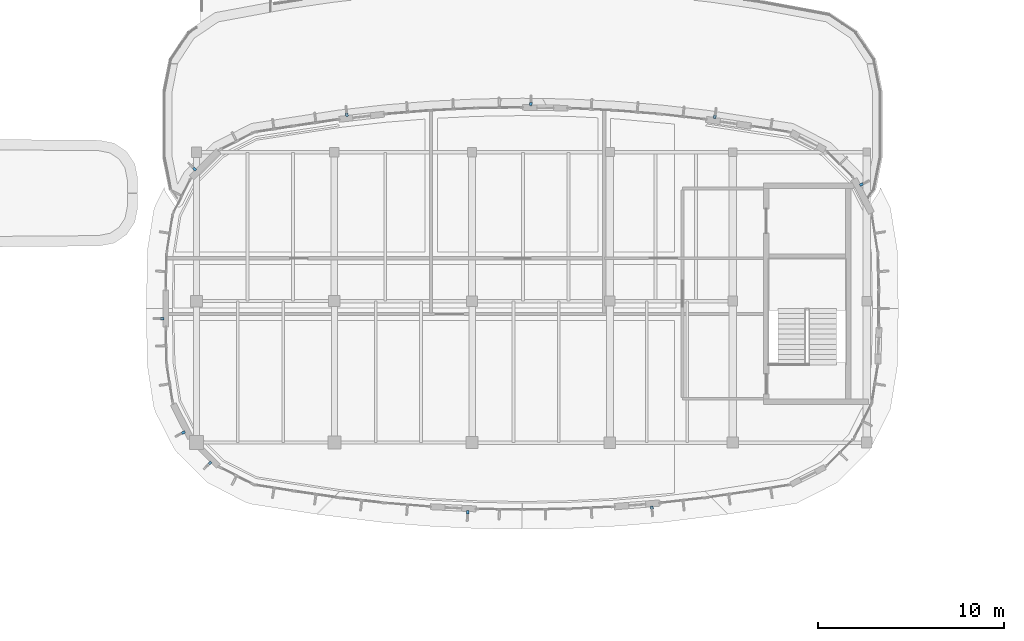
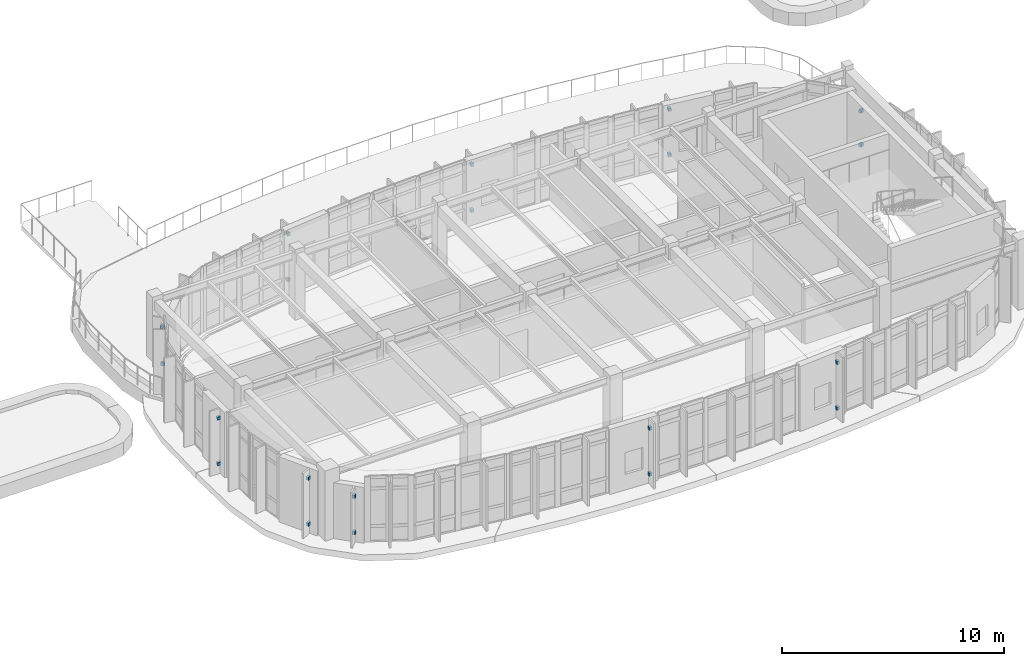
# One storey, part 91 of 111: 20 discrete accessories.
"""IFC4 building model written with IfcOpenShell, lengths in metres."""

from ifc_helpers import new_model, si_unit, direction, frame, origin, origin_2d, place, context, subcontext, project, spatial, rectangle, extrude, material, type_object, element, save


model = new_model("IFC4")

# Units and contexts
model_context = context("Model", 3, precision=1e-05, world=origin(), true_north=direction((0.0, 1.0)))
body_context = subcontext(model_context, "Body", "Model", "MODEL_VIEW")
ifc_project = project(units=[si_unit("LENGTHUNIT", "METRE"), si_unit("AREAUNIT", "SQUARE_METRE"), si_unit("VOLUMEUNIT", "CUBIC_METRE"), si_unit("PLANEANGLEUNIT", "RADIAN"), si_unit("MASSUNIT", "GRAM", prefix="KILO")], contexts=[model_context])

# Site, building, storey
site_placement = place(None, origin())
site = spatial("IfcSite", under=ifc_project, at=site_placement, CompositionType="ELEMENT")
building_placement = place(site_placement, origin())
building = spatial("IfcBuilding", under=site, at=building_placement, Name="Corveleigh Park Community Centre", CompositionType="ELEMENT")
storey_placement = place(building_placement, frame((0.0, 0.0, 4.800048828125)))
storey = spatial("IfcBuildingStorey", under=building, at=storey_placement, Name="L01", CompositionType="ELEMENT", Elevation=4.800048828125)

# Discrete accessories
ifc_material = material(Name="Stainless steel 316 balustrade", Category="steel")
discrete_accessory_type = type_object("IfcDiscreteAccessoryType", Name="ACC-BRK-STL", PredefinedType="BRACKET", material=ifc_material)
for number, where, z_axis, x_axis, name in (
    (1, (86.56201171875, 7.458984375, 0.5), (0.0, 0.0, 1.0), (-0.048920946301, -0.998802653687, 0.0), "Fin fixing bracket lower"),
    (2, (86.56201171875, 7.458984375, 3.02001953125), (0.0, 0.0, 1.0), (-0.048920946301, -0.998802653687, 0.0), "Fin fixing bracket upper"),
    (3, (96.4609375, 7.7109375, 0.5), (0.0, 0.0, 1.0), (0.081122341986, -0.996704151507, 0.0), "Fin fixing bracket lower"),
    (4, (96.4609375, 7.7109375, 3.02001953125), (0.0, 0.0, 1.0), (0.081122341986, -0.996704151507, 0.0), "Fin fixing bracket upper"),
    (5, (107.708984375, 25.05810546875, 0.5), (0.0, 0.0, 1.0), (0.890890679418, 0.454217786228, 0.0), "Fin fixing bracket lower"),
    (6, (107.708984375, 25.05810546875, 2.369873046875), (0.0, 0.0, 1.0), (0.890890679418, 0.454217786228, 0.0), "Fin fixing bracket upper"),
    (7, (99.841064453125, 28.701904296875, 0.5), (0.0, 0.0, 1.0), (0.146268101327, 0.989244986105, 0.0), "Fin fixing bracket lower"),
    (8, (99.841064453125, 28.701904296875, 3.011962890625), (0.0, 0.0, 1.0), (0.146268101327, 0.989244986105, 0.0), "Fin fixing bracket upper"),
    (9, (89.9619140625, 29.385986328125, 0.5), (0.0, 0.0, 1.0), (0.016311043488, 0.999866966081, 0.0), "Fin fixing bracket lower"),
    (10, (89.9619140625, 29.385986328125, 3.011962890625), (0.0, 0.0, 1.0), (0.016311043488, 0.999866966081, 0.0), "Fin fixing bracket upper"),
    (11, (80.076904296875, 28.81201171875, 0.5), (0.0, 0.0, 1.0), (-0.113742050835, 0.99351031493, 0.0), "Fin fixing bracket lower"),
    (12, (80.076904296875, 28.81201171875, 3.011962890625), (0.0, 0.0, 1.0), (-0.113742050835, 0.99351031493, 0.0), "Fin fixing bracket upper"),
    (13, (71.89599609375, 25.89111328125, 0.5), (0.0, 0.0, 1.0), (-0.707106781187, 0.707106781187, 0.0), "Fin fixing bracket lower"),
    (14, (71.89599609375, 25.89111328125, 2.52001953125), (0.0, 0.0, 1.0), (-0.707106781187, 0.707106781187, 0.0), "Fin fixing bracket upper"),
    (15, (70.157958984375, 17.85888671875, 0.5), (0.0, 0.0, 1.0), (-1.0, 0.0, 0.0), "Fin fixing bracket lower"),
    (16, (70.157958984375, 17.85888671875, 3.011962890625), (0.0, 0.0, 1.0), (-1.0, 0.0, 0.0), "Fin fixing bracket upper"),
    (17, (71.291015625, 11.741943359375, 0.5), (0.0, 0.0, 1.0), (-0.890890679418, -0.454217786228, 0.0), "Fin fixing bracket lower"),
    (18, (71.291015625, 11.741943359375, 3.02001953125), (0.0, 0.0, 1.0), (-0.890890679418, -0.454217786228, 0.0), "Fin fixing bracket upper"),
    (19, (72.72412109375, 10.110107421875, 0.5), (0.0, 0.0, 1.0), (-0.707106781187, -0.707106781187, 0.0), "Fin fixing bracket lower"),
    (20, (72.72412109375, 10.110107421875, 2.508056640625), (0.0, 0.0, 1.0), (-0.707106781187, -0.707106781187, 0.0), "Fin fixing bracket upper"),
):
    element("IfcDiscreteAccessory", number, at=place(storey_placement, frame(where, z_axis=z_axis, x_axis=x_axis)), inside=storey, type_object=discrete_accessory_type, Name=name, PredefinedType="BRACKET", context=body_context, shape_type="SweptSolid", body=[
        extrude(rectangle(XDim=0.179931640625, YDim=0.139892578125, at=origin_2d()), origin(), (0.0, 0.0, 1.0), 0.169921875),
    ])

save(model, "model.ifc")
